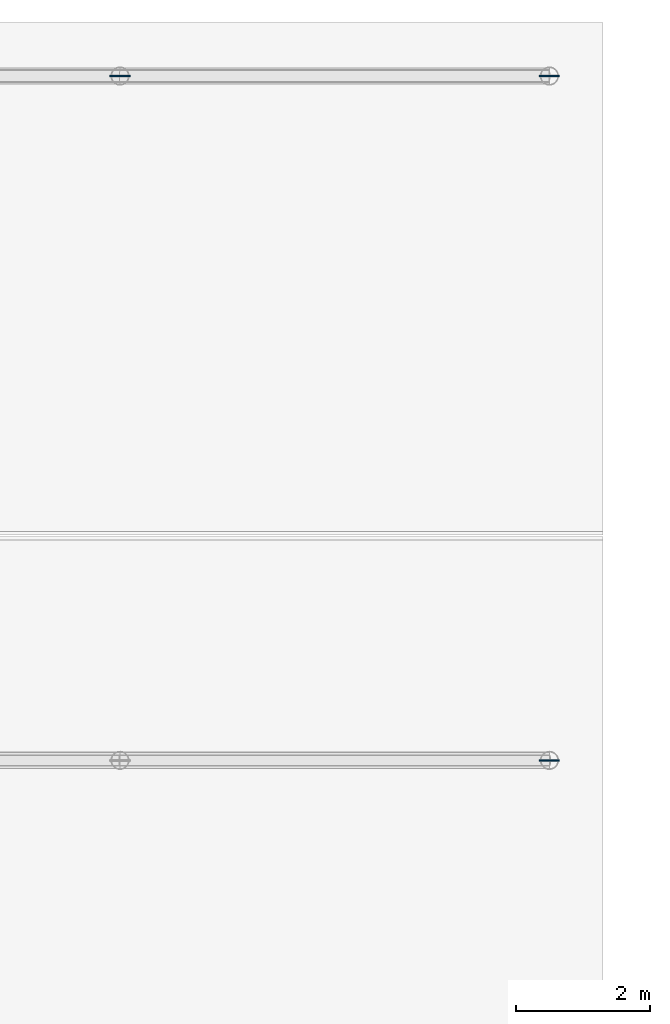
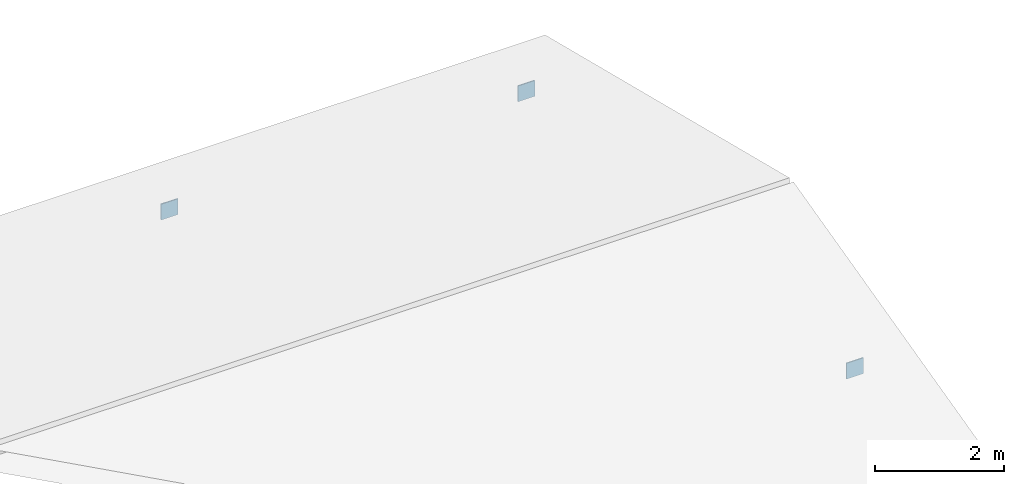
# One storey, part 76 of 91: 3 plates.
"""IFC4 building model written with IfcOpenShell, lengths in metres."""

from ifc_helpers import new_model, si_unit, direction, frame, origin, origin_2d, place, context, subcontext, project, spatial, rectangle, extrude, material, layer, layer_set, type_object, element, save


model = new_model("IFC4")

# Units and contexts
model_context = context("Model", 3, precision=1e-05, world=origin(), true_north=direction((0.0, 1.0)))
body_context = subcontext(model_context, "Body", "Model", "MODEL_VIEW")
ifc_project = project(units=[si_unit("LENGTHUNIT", "METRE"), si_unit("AREAUNIT", "SQUARE_METRE"), si_unit("VOLUMEUNIT", "CUBIC_METRE"), si_unit("PLANEANGLEUNIT", "RADIAN"), si_unit("MASSUNIT", "GRAM", prefix="KILO")], contexts=[model_context])

# Site, building, storey
site_placement = place(None, origin())
site = spatial("IfcSite", under=ifc_project, at=site_placement, CompositionType="ELEMENT")
building_placement = place(site_placement, origin())
building = spatial("IfcBuilding", under=site, at=building_placement, Name="Valcora Specialist Clinic", CompositionType="ELEMENT")
storey_placement = place(building_placement, frame((0.0, 0.0, 13.60009765625)))
storey = spatial("IfcBuildingStorey", under=building, at=storey_placement, Name="L03", CompositionType="ELEMENT", Elevation=13.60009765625)

# Plates
ifc_material = material(Name="Steel ASTM A572 Grade 50", Category="steel")
ifc_layer = layer(ifc_material, 0.02001953125)
ifc_layer_set = layer_set([ifc_layer], Name="Steel ASTM A572 Grade 50")
plate_type = type_object("IfcPlateType", Name="TY-PL-EC273", PredefinedType="USERDEFINED", material=ifc_layer_set)
for number, where, z_axis, x_axis, name in (
    (1, (44.800048828125, 99.800048828125, 1.2431640625), (0.0, 0.0, 1.0), (1.0, 0.0, 0.0), "Stub post end-cap plate COL-RFV2-448-998"),
    (2, (38.39990234375, 110.0, 0.314453125), (0.0, 0.0, 1.0), (1.0, 0.0, 0.0), "Stub post end-cap plate COL-RFV2-384-1100"),
    (3, (44.800048828125, 110.0, 0.314453125), (0.0, 0.0, 1.0), (1.0, 0.0, 0.0), "Stub post end-cap plate COL-RFV2-448-1100"),
):
    element("IfcPlate", number, at=place(storey_placement, frame(where, z_axis=z_axis, x_axis=x_axis)), inside=storey, type_object=plate_type, Name=name, ObjectType="FLANGE_PLATE", PredefinedType="USERDEFINED", context=body_context, shape_type="SweptSolid", body=[
        extrude(rectangle(XDim=0.300048828125, YDim=0.02001953125, at=origin_2d()), origin(), (0.0, 0.0, 1.0), 0.300048828125),
    ])

save(model, "model.ifc")
